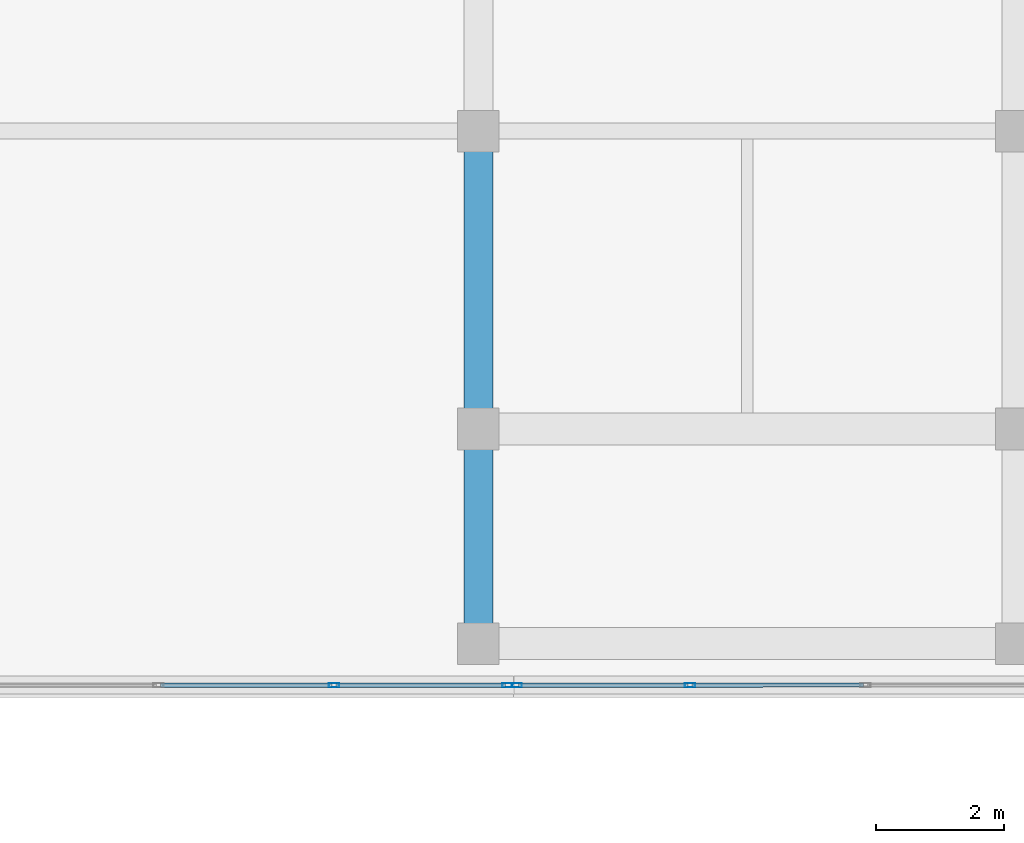
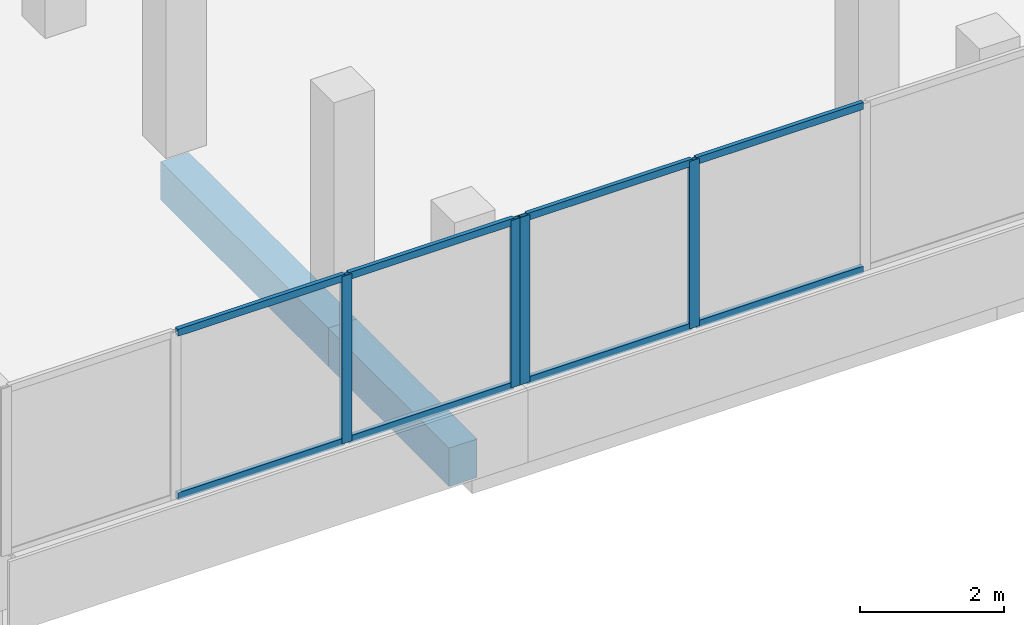
# One storey, part 39 of 78: 12 members, 2 beams, 2 elements without a shape of their own.
"""IFC4 building model written with IfcOpenShell, lengths in metres."""

from ifc_helpers import new_model, si_unit, direction, frame, origin, origin_2d, place, context, subcontext, project, spatial, rectangle, hollow_rectangle, extrude, material, material_profile, profile_set, type_object, element, aggregate, save


model = new_model("IFC4")

# Units and contexts
model_context = context("Model", 3, precision=1e-05, world=origin(), true_north=direction((0.0, 1.0)))
body_context = subcontext(model_context, "Body", "Model", "MODEL_VIEW")
ifc_project = project(units=[si_unit("LENGTHUNIT", "METRE"), si_unit("AREAUNIT", "SQUARE_METRE"), si_unit("VOLUMEUNIT", "CUBIC_METRE"), si_unit("PLANEANGLEUNIT", "RADIAN"), si_unit("MASSUNIT", "GRAM", prefix="KILO")], contexts=[model_context])

# Site, building, storey
site_placement = place(None, origin())
site = spatial("IfcSite", under=ifc_project, at=site_placement, CompositionType="ELEMENT")
building_placement = place(site_placement, origin())
building = spatial("IfcBuilding", under=site, at=building_placement, Name="Selatvlak General Hospital", CompositionType="ELEMENT")
storey_placement = place(building_placement, frame((0.0, 0.0, 23.25)))
storey = spatial("IfcBuildingStorey", under=building, at=storey_placement, Name="L05", CompositionType="ELEMENT", Elevation=23.25)

# Beams
ifc_material_1 = material(Name="Concrete C40/50", Category="concrete")
ifc_material_profile_1 = material_profile(ifc_material_1, rectangle(XDim=0.449951171875, YDim=0.64990234375, at=origin_2d()), Name="RC-BM 450x650")
ifc_profile_set_1 = profile_set([ifc_material_profile_1], Name="Concrete C40/50")
beam_type = type_object("IfcBeamType", Name="BM-G04", PredefinedType="BEAM", material=ifc_profile_set_1)
beam_1_placement = place(storey_placement, frame((156.550048828125, 64.64990234375, -0.60498046875), z_axis=(0.0, 1.0, 0.0), x_axis=(-1.0, 0.0, 0.0)))
element("IfcBeam", 1, at=beam_1_placement, inside=storey, type_object=beam_type, Name="Beam BMR-L05-2078", PredefinedType="BEAM", context=body_context, shape_type="SweptSolid", body=[
    extrude(rectangle(XDim=0.449951171875, YDim=0.64990234375, at=origin_2d()), origin(), (0.0, 0.0, 1.0), 3.35009765625),
])
beam_2_placement = place(storey_placement, frame((156.550048828125, 68.0, -0.60498046875), z_axis=(0.0, 1.0, 0.0), x_axis=(-1.0, 0.0, 0.0)))
element("IfcBeam", 2, at=beam_2_placement, inside=storey, type_object=beam_type, Name="Beam BMR-L05-2079", PredefinedType="BEAM", context=body_context, shape_type="SweptSolid", body=[
    extrude(rectangle(XDim=0.449951171875, YDim=0.64990234375, at=origin_2d()), origin(), (0.0, 0.0, 1.0), 4.64990234375),
])

# Curtain wall, members
ifc_material_2 = material(Name="Solar-control Low-E double glazing", Category="glass")
curtain_wall_type_1 = type_object("IfcCurtainWallType", Name="CW-CW-01", PredefinedType="USERDEFINED", material=ifc_material_2)
curtain_wall_1_placement = place(storey_placement, origin())
curtain_wall_1 = element("IfcCurtainWall", 3, at=curtain_wall_1_placement, inside=storey, type_object=curtain_wall_type_1, Name="Glazed facade curtain wall CW-L05-0575", ObjectType="UNITISED CURTAIN WALL", PredefinedType="USERDEFINED")
ifc_material_3 = material(Name="Dark anodised aluminium mullion", Category="aluminium")
ifc_material_profile_2 = material_profile(ifc_material_3, hollow_rectangle(XDim=0.06494140625, YDim=0.159912109375, WallThickness=0.00390625, at=origin_2d()), Name="AL-MUL 65x160x4")
ifc_profile_set_2 = profile_set([ifc_material_profile_2], Name="Dark anodised aluminium mullion")
member_type_1 = type_object("IfcMemberType", Name="CWM-01", PredefinedType="MULLION", material=ifc_profile_set_2)
member_1_placement = place(storey_placement, frame((159.855712890625, 64.000244140625, 0.93994140625), z_axis=(0.0, 0.0, 1.0), x_axis=(0.00012166931, -0.999999992598, 0.0)))
member_1 = element("IfcMember", 4, at=member_1_placement, type_object=member_type_1, Name="CW-01 mullion 3", PredefinedType="MULLION", context=body_context, shape_type="SweptSolid", body=[
    extrude(hollow_rectangle(XDim=0.06494140625, YDim=0.159912109375, WallThickness=0.00390625, at=origin_2d()), origin(), (0.0, 0.0, 1.0), 2.8349609375),
])
member_2_placement = place(storey_placement, frame((157.1484375, 64.0, 0.93994140625), z_axis=(0.0, 0.0, 1.0), x_axis=(0.00012166931, -0.999999992598, 0.0)))
member_2 = element("IfcMember", 5, at=member_2_placement, type_object=member_type_1, Name="CW-01 mullion 4", PredefinedType="MULLION", context=body_context, shape_type="SweptSolid", body=[
    extrude(hollow_rectangle(XDim=0.06494140625, YDim=0.159912109375, WallThickness=0.00390625, at=origin_2d()), origin(), (0.0, 0.0, 1.0), 2.8349609375),
])

curtain_wall_type_2 = type_object("IfcCurtainWallType", Name="CW-CW-02", PredefinedType="USERDEFINED", material=ifc_material_2)
curtain_wall_2_placement = place(storey_placement, origin())
curtain_wall_2 = element("IfcCurtainWall", 6, at=curtain_wall_2_placement, inside=storey, type_object=curtain_wall_type_2, Name="Glazed facade curtain wall CW-L05-0576", ObjectType="UNITISED CURTAIN WALL", PredefinedType="USERDEFINED")
member_3_placement = place(storey_placement, frame((157.00341796875, 64.0, 0.93994140625), z_axis=(0.0, 0.0, 1.0), x_axis=(0.0, -1.0, 0.0)))
member_3 = element("IfcMember", 7, at=member_3_placement, type_object=member_type_1, Name="CW-02 mullion 1", PredefinedType="MULLION", context=body_context, shape_type="SweptSolid", body=[
    extrude(hollow_rectangle(XDim=0.06494140625, YDim=0.159912109375, WallThickness=0.00390625, at=origin_2d()), origin(), (0.0, 0.0, 1.0), 2.8349609375),
])
member_4_placement = place(storey_placement, frame((154.2958984375, 64.0, 0.93994140625), z_axis=(0.0, 0.0, 1.0), x_axis=(0.0, -1.0, 0.0)))
member_4 = element("IfcMember", 8, at=member_4_placement, type_object=member_type_1, Name="CW-02 mullion 2", PredefinedType="MULLION", context=body_context, shape_type="SweptSolid", body=[
    extrude(hollow_rectangle(XDim=0.06494140625, YDim=0.159912109375, WallThickness=0.00390625, at=origin_2d()), origin(), (0.0, 0.0, 1.0), 2.8349609375),
])

# Member
ifc_material_profile_3 = material_profile(ifc_material_3, hollow_rectangle(XDim=0.06494140625, YDim=0.1201171875, WallThickness=0.00390625, at=origin_2d()), Name="AL-TRN 65x120x4")
ifc_profile_set_3 = profile_set([ifc_material_profile_3], Name="Dark anodised aluminium mullion")
member_type_2 = type_object("IfcMemberType", Name="CWT-01", PredefinedType="USERDEFINED", material=ifc_profile_set_3)
member_5_placement = place(storey_placement, frame((162.562744140625, 64.000732421875, 0.972412109375), z_axis=(-0.999999983335, -0.000182565036, 0.0), x_axis=(0.000182565036, -0.999999983335, 0.0)))
member_5 = element("IfcMember", 9, at=member_5_placement, type_object=member_type_2, Name="CW-01 transom 2.1", ObjectType="TRANSOM", PredefinedType="USERDEFINED", context=body_context, shape_type="SweptSolid", body=[
    extrude(hollow_rectangle(XDim=0.06494140625, YDim=0.1201171875, WallThickness=0.00390625, at=origin_2d()), origin(), (0.0, 0.0, 1.0), 2.674560546875),
])

member_6_placement = place(storey_placement, frame((162.562744140625, 64.000732421875, 3.742431640625), z_axis=(-0.999999983335, -0.000182565036, 0.0), x_axis=(0.000182565036, -0.999999983335, 0.0)))
member_6 = element("IfcMember", 10, at=member_6_placement, type_object=member_type_2, Name="CW-01 transom 2.2", ObjectType="TRANSOM", PredefinedType="USERDEFINED", context=body_context, shape_type="SweptSolid", body=[
    extrude(hollow_rectangle(XDim=0.06494140625, YDim=0.1201171875, WallThickness=0.00390625, at=origin_2d()), origin(), (0.0, 0.0, 1.0), 2.674560546875),
])

member_7_placement = place(storey_placement, frame((159.8232421875, 64.000244140625, 0.972412109375), z_axis=(-0.999999995732, -9.2395823e-05, 0.0), x_axis=(9.2395823e-05, -0.999999995732, 0.0)))
member_7 = element("IfcMember", 11, at=member_7_placement, type_object=member_type_2, Name="CW-01 transom 3.1", ObjectType="TRANSOM", PredefinedType="USERDEFINED", context=body_context, shape_type="SweptSolid", body=[
    extrude(hollow_rectangle(XDim=0.06494140625, YDim=0.1201171875, WallThickness=0.00390625, at=origin_2d()), origin(), (0.0, 0.0, 1.0), 2.642333984375),
])

member_8_placement = place(storey_placement, frame((159.8232421875, 64.000244140625, 3.742431640625), z_axis=(-0.999999995732, -9.2395823e-05, 0.0), x_axis=(9.2395823e-05, -0.999999995732, 0.0)))
member_8 = element("IfcMember", 12, at=member_8_placement, type_object=member_type_2, Name="CW-01 transom 3.2", ObjectType="TRANSOM", PredefinedType="USERDEFINED", context=body_context, shape_type="SweptSolid", body=[
    extrude(hollow_rectangle(XDim=0.06494140625, YDim=0.1201171875, WallThickness=0.00390625, at=origin_2d()), origin(), (0.0, 0.0, 1.0), 2.642333984375),
])

aggregate(curtain_wall_1, [member_1, member_2, member_5, member_6, member_7, member_8])

member_9_placement = place(storey_placement, frame((156.970947265625, 64.0, 0.972412109375), z_axis=(-1.0, 0.0, 0.0), x_axis=(0.0, -1.0, 0.0)))
member_9 = element("IfcMember", 13, at=member_9_placement, type_object=member_type_2, Name="CW-02 transom 1.1", ObjectType="TRANSOM", PredefinedType="USERDEFINED", context=body_context, shape_type="SweptSolid", body=[
    extrude(hollow_rectangle(XDim=0.06494140625, YDim=0.1201171875, WallThickness=0.00390625, at=origin_2d()), origin(), (0.0, 0.0, 1.0), 2.642333984375),
])

member_10_placement = place(storey_placement, frame((156.970947265625, 64.0, 3.742431640625), z_axis=(-1.0, 0.0, 0.0), x_axis=(0.0, -1.0, 0.0)))
member_10 = element("IfcMember", 14, at=member_10_placement, type_object=member_type_2, Name="CW-02 transom 1.2", ObjectType="TRANSOM", PredefinedType="USERDEFINED", context=body_context, shape_type="SweptSolid", body=[
    extrude(hollow_rectangle(XDim=0.06494140625, YDim=0.1201171875, WallThickness=0.00390625, at=origin_2d()), origin(), (0.0, 0.0, 1.0), 2.642333984375),
])

member_11_placement = place(storey_placement, frame((154.263427734375, 64.0, 0.972412109375), z_axis=(-1.0, 0.0, 0.0), x_axis=(0.0, -1.0, 0.0)))
member_11 = element("IfcMember", 15, at=member_11_placement, type_object=member_type_2, Name="CW-02 transom 2.1", ObjectType="TRANSOM", PredefinedType="USERDEFINED", context=body_context, shape_type="SweptSolid", body=[
    extrude(hollow_rectangle(XDim=0.06494140625, YDim=0.1201171875, WallThickness=0.00390625, at=origin_2d()), origin(), (0.0, 0.0, 1.0), 2.675048828125),
])

member_12_placement = place(storey_placement, frame((154.263427734375, 64.0, 3.742431640625), z_axis=(-1.0, 0.0, 0.0), x_axis=(0.0, -1.0, 0.0)))
member_12 = element("IfcMember", 16, at=member_12_placement, type_object=member_type_2, Name="CW-02 transom 2.2", ObjectType="TRANSOM", PredefinedType="USERDEFINED", context=body_context, shape_type="SweptSolid", body=[
    extrude(hollow_rectangle(XDim=0.06494140625, YDim=0.1201171875, WallThickness=0.00390625, at=origin_2d()), origin(), (0.0, 0.0, 1.0), 2.675048828125),
])

aggregate(curtain_wall_2, [member_3, member_4, member_9, member_10, member_11, member_12])

save(model, "model.ifc")
